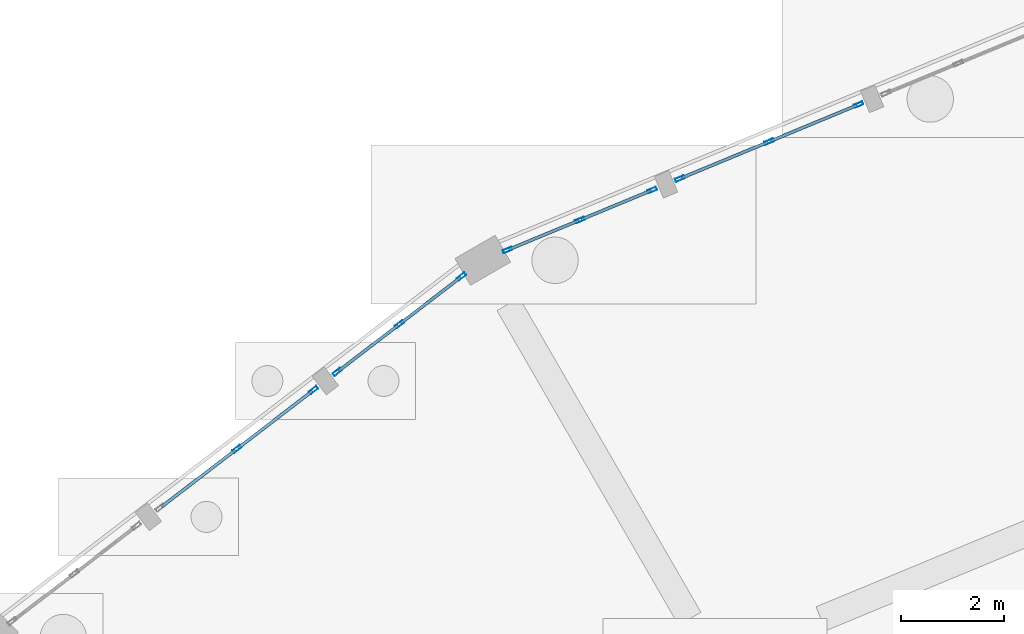
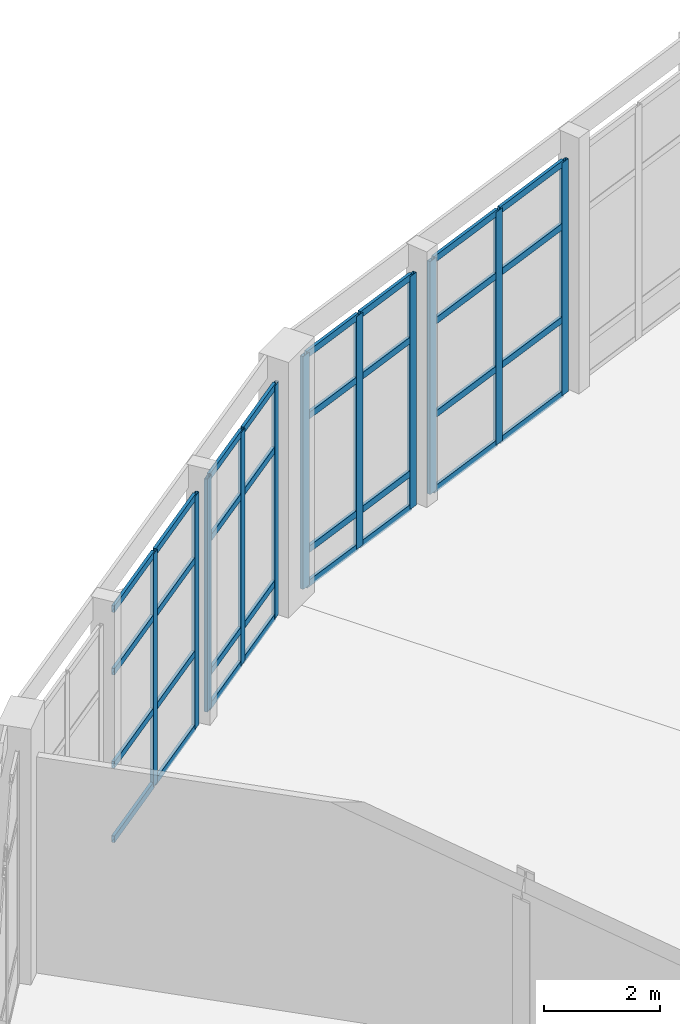
# One storey, part 58 of 137: 43 members, 4 elements without a shape of their own.
"""IFC4 building model written with IfcOpenShell, lengths in metres."""

from ifc_helpers import new_model, si_unit, direction, frame, origin, origin_2d, place, context, subcontext, project, spatial, hollow_rectangle, extrude, material, material_profile, profile_set, type_object, element, aggregate, save


model = new_model("IFC4")

# Units and contexts
model_context = context("Model", 3, precision=1e-05, world=origin(), true_north=direction((0.0, 1.0)))
body_context = subcontext(model_context, "Body", "Model", "MODEL_VIEW")
ifc_project = project(units=[si_unit("LENGTHUNIT", "METRE"), si_unit("AREAUNIT", "SQUARE_METRE"), si_unit("VOLUMEUNIT", "CUBIC_METRE"), si_unit("PLANEANGLEUNIT", "RADIAN"), si_unit("MASSUNIT", "GRAM", prefix="KILO")], contexts=[model_context])

# Site, building, storey
site_placement = place(None, origin())
site = spatial("IfcSite", under=ifc_project, at=site_placement, CompositionType="ELEMENT")
building_placement = place(site_placement, origin())
building = spatial("IfcBuilding", under=site, at=building_placement, Name="Vondelvale Polytechnic", CompositionType="ELEMENT")
storey_placement = place(building_placement, origin())
storey = spatial("IfcBuildingStorey", under=building, at=storey_placement, Name="L00", CompositionType="ELEMENT", Elevation=0.0)

# Curtain wall, members
ifc_material_1 = material(Name="Glulam GL18 structural Tasmanian oak (fb = 42 MPa)", Category="wood")
curtain_wall_type = type_object("IfcCurtainWallType", Name="CW-RING-OUTER", PredefinedType="NOTDEFINED", material=ifc_material_1)
curtain_wall_1_placement = place(storey_placement, origin())
curtain_wall_1 = element("IfcCurtainWall", 1, at=curtain_wall_1_placement, inside=storey, type_object=curtain_wall_type, Name="L00 architectural curtain wall CW-04-173", PredefinedType="NOTDEFINED")
ifc_material_2 = material(Name="Anodised extruded aluminium 6063-T6", Category="aluminium")
ifc_material_profile_1 = material_profile(ifc_material_2, hollow_rectangle(XDim=0.06494140625, YDim=0.179931640625, WallThickness=0.00390625, at=origin_2d()), Name="CW-MUL-180x65")
ifc_profile_set_1 = profile_set([ifc_material_profile_1], Name="Anodised extruded aluminium 6063-T6")
member_type_1 = type_object("IfcMemberType", Name="CW-MUL-65x180", PredefinedType="MULLION", material=ifc_profile_set_1)
member_1_placement = place(storey_placement, frame((86.278564453125, 114.85205078125, 0.0), z_axis=(0.0, 0.0, 1.0), x_axis=(0.382694599123, -0.92387490701, 0.0)))
member_1 = element("IfcMember", 2, at=member_1_placement, type_object=member_type_1, Name="CW-04-173 mullion 1", PredefinedType="MULLION", context=body_context, shape_type="SweptSolid", body=[
    extrude(hollow_rectangle(XDim=0.06494140625, YDim=0.179931640625, WallThickness=0.00390625, at=origin_2d()), origin(), (0.0, 0.0, 1.0), 4.919921875),
])
member_2_placement = place(storey_placement, frame((84.547119140625, 114.135009765625, 0.0), z_axis=(0.0, 0.0, 1.0), x_axis=(0.382694599123, -0.92387490701, 0.0)))
member_2 = element("IfcMember", 3, at=member_2_placement, type_object=member_type_1, Name="CW-04-173 mullion 2", PredefinedType="MULLION", context=body_context, shape_type="SweptSolid", body=[
    extrude(hollow_rectangle(XDim=0.06494140625, YDim=0.179931640625, WallThickness=0.00390625, at=origin_2d()), origin(), (0.0, 0.0, 1.0), 4.919921875),
])
member_3_placement = place(storey_placement, frame((82.81591796875, 113.417724609375, 0.0), z_axis=(0.0, 0.0, 1.0), x_axis=(0.382694599123, -0.92387490701, 0.0)))
member_3 = element("IfcMember", 4, at=member_3_placement, type_object=member_type_1, Name="CW-04-173 mullion 3", PredefinedType="MULLION", context=body_context, shape_type="SweptSolid", body=[
    extrude(hollow_rectangle(XDim=0.06494140625, YDim=0.179931640625, WallThickness=0.00390625, at=origin_2d()), origin(), (0.0, 0.0, 1.0), 4.919921875),
])

curtain_wall_2_placement = place(storey_placement, origin())
curtain_wall_2 = element("IfcCurtainWall", 5, at=curtain_wall_2_placement, inside=storey, type_object=curtain_wall_type, Name="L00 architectural curtain wall CW-04-174", PredefinedType="NOTDEFINED")
member_4_placement = place(storey_placement, frame((82.28466796875, 113.19775390625, 0.0), z_axis=(0.0, 0.0, 1.0), x_axis=(0.382679040691, -0.92388135159, 0.0)))
member_4 = element("IfcMember", 6, at=member_4_placement, type_object=member_type_1, Name="CW-04-174 mullion 1", PredefinedType="MULLION", context=body_context, shape_type="SweptSolid", body=[
    extrude(hollow_rectangle(XDim=0.06494140625, YDim=0.179931640625, WallThickness=0.00390625, at=origin_2d()), origin(), (0.0, 0.0, 1.0), 4.919921875),
])
member_5_placement = place(storey_placement, frame((80.880859375, 112.6162109375, 0.0), z_axis=(0.0, 0.0, 1.0), x_axis=(0.382679040691, -0.92388135159, 0.0)))
member_5 = element("IfcMember", 7, at=member_5_placement, type_object=member_type_1, Name="CW-04-174 mullion 2", PredefinedType="MULLION", context=body_context, shape_type="SweptSolid", body=[
    extrude(hollow_rectangle(XDim=0.06494140625, YDim=0.179931640625, WallThickness=0.00390625, at=origin_2d()), origin(), (0.0, 0.0, 1.0), 4.919921875),
])
member_6_placement = place(storey_placement, frame((79.477294921875, 112.034912109375, 0.0), z_axis=(0.0, 0.0, 1.0), x_axis=(0.382679040691, -0.92388135159, 0.0)))
member_6 = element("IfcMember", 8, at=member_6_placement, type_object=member_type_1, Name="CW-04-174 mullion 3", PredefinedType="MULLION", context=body_context, shape_type="SweptSolid", body=[
    extrude(hollow_rectangle(XDim=0.06494140625, YDim=0.179931640625, WallThickness=0.00390625, at=origin_2d()), origin(), (0.0, 0.0, 1.0), 4.919921875),
])

curtain_wall_3_placement = place(storey_placement, origin())
curtain_wall_3 = element("IfcCurtainWall", 9, at=curtain_wall_3_placement, inside=storey, type_object=curtain_wall_type, Name="L00 architectural curtain wall CW-04-191", PredefinedType="NOTDEFINED")
member_7_placement = place(storey_placement, frame((78.59033203125, 111.522705078125, 0.0), z_axis=(0.0, 0.0, 1.0), x_axis=(0.608763610584, -0.793351666305, 0.0)))
member_7 = element("IfcMember", 10, at=member_7_placement, type_object=member_type_1, Name="CW-04-191 mullion 1", PredefinedType="MULLION", context=body_context, shape_type="SweptSolid", body=[
    extrude(hollow_rectangle(XDim=0.06494140625, YDim=0.179931640625, WallThickness=0.00390625, at=origin_2d()), origin(), (0.0, 0.0, 1.0), 4.919921875),
])
member_8_placement = place(storey_placement, frame((77.384765625, 110.597900390625, 0.0), z_axis=(0.0, 0.0, 1.0), x_axis=(0.608763610584, -0.793351666305, 0.0)))
member_8 = element("IfcMember", 11, at=member_8_placement, type_object=member_type_1, Name="CW-04-191 mullion 2", PredefinedType="MULLION", context=body_context, shape_type="SweptSolid", body=[
    extrude(hollow_rectangle(XDim=0.06494140625, YDim=0.179931640625, WallThickness=0.00390625, at=origin_2d()), origin(), (0.0, 0.0, 1.0), 4.919921875),
])
member_9_placement = place(storey_placement, frame((76.179443359375, 109.6728515625, 0.0), z_axis=(0.0, 0.0, 1.0), x_axis=(0.608763610584, -0.793351666305, 0.0)))
member_9 = element("IfcMember", 12, at=member_9_placement, type_object=member_type_1, Name="CW-04-191 mullion 3", PredefinedType="MULLION", context=body_context, shape_type="SweptSolid", body=[
    extrude(hollow_rectangle(XDim=0.06494140625, YDim=0.179931640625, WallThickness=0.00390625, at=origin_2d()), origin(), (0.0, 0.0, 1.0), 4.919921875),
])

curtain_wall_4_placement = place(storey_placement, origin())
curtain_wall_4 = element("IfcCurtainWall", 13, at=curtain_wall_4_placement, inside=storey, type_object=curtain_wall_type, Name="L00 architectural curtain wall CW-04-192", PredefinedType="NOTDEFINED")
member_10_placement = place(storey_placement, frame((75.723388671875, 109.322998046875, 0.0), z_axis=(0.0, 0.0, 1.0), x_axis=(0.608771189063, -0.793345851043, 0.0)))
member_10 = element("IfcMember", 14, at=member_10_placement, type_object=member_type_1, Name="CW-04-192 mullion 1", PredefinedType="MULLION", context=body_context, shape_type="SweptSolid", body=[
    extrude(hollow_rectangle(XDim=0.06494140625, YDim=0.179931640625, WallThickness=0.00390625, at=origin_2d()), origin(), (0.0, 0.0, 1.0), 4.919921875),
])
member_11_placement = place(storey_placement, frame((74.236572265625, 108.18212890625, 0.0), z_axis=(0.0, 0.0, 1.0), x_axis=(0.608771189063, -0.793345851043, 0.0)))
member_11 = element("IfcMember", 15, at=member_11_placement, type_object=member_type_1, Name="CW-04-192 mullion 2", PredefinedType="MULLION", context=body_context, shape_type="SweptSolid", body=[
    extrude(hollow_rectangle(XDim=0.06494140625, YDim=0.179931640625, WallThickness=0.00390625, at=origin_2d()), origin(), (0.0, 0.0, 1.0), 4.919921875),
])

# Member
ifc_material_profile_2 = material_profile(ifc_material_2, hollow_rectangle(XDim=0.06005859375, YDim=0.139892578125, WallThickness=0.00341796875, at=origin_2d()), Name="CW-TRN-140x60")
ifc_profile_set_2 = profile_set([ifc_material_profile_2], Name="Anodised extruded aluminium 6063-T6")
member_type_2 = type_object("IfcMemberType", Name="CW-TRN-60x140", PredefinedType="USERDEFINED", material=ifc_profile_set_2)
member_12_placement = place(storey_placement, frame((86.24853515625, 114.839599609375, 0.030029296875), z_axis=(-0.923865506878, -0.382717291485, 0.0), x_axis=(0.382717291485, -0.923865506878, 0.0)))
member_12 = element("IfcMember", 16, at=member_12_placement, type_object=member_type_2, Name="CW-04-173 transom 1.1", ObjectType="TRANSOM", PredefinedType="USERDEFINED", context=body_context, shape_type="SweptSolid", body=[
    extrude(hollow_rectangle(XDim=0.06005859375, YDim=0.139892578125, WallThickness=0.00341796875, at=origin_2d()), origin(), (0.0, 0.0, 1.0), 1.80908203125),
])

member_13_placement = place(storey_placement, frame((86.24853515625, 114.839599609375, 1.60009765625), z_axis=(-0.923865506878, -0.382717291485, 0.0), x_axis=(0.382717291485, -0.923865506878, 0.0)))
member_13 = element("IfcMember", 17, at=member_13_placement, type_object=member_type_2, Name="CW-04-173 transom 1.2", ObjectType="TRANSOM", PredefinedType="USERDEFINED", context=body_context, shape_type="SweptSolid", body=[
    extrude(hollow_rectangle(XDim=0.06005859375, YDim=0.139892578125, WallThickness=0.00341796875, at=origin_2d()), origin(), (0.0, 0.0, 1.0), 1.80908203125),
])

member_14_placement = place(storey_placement, frame((86.24853515625, 114.839599609375, 3.570068359375), z_axis=(-0.923865506878, -0.382717291485, 0.0), x_axis=(0.382717291485, -0.923865506878, 0.0)))
member_14 = element("IfcMember", 18, at=member_14_placement, type_object=member_type_2, Name="CW-04-173 transom 1.3", ObjectType="TRANSOM", PredefinedType="USERDEFINED", context=body_context, shape_type="SweptSolid", body=[
    extrude(hollow_rectangle(XDim=0.06005859375, YDim=0.139892578125, WallThickness=0.00341796875, at=origin_2d()), origin(), (0.0, 0.0, 1.0), 1.80908203125),
])

member_15_placement = place(storey_placement, frame((86.24853515625, 114.839599609375, 4.889892578125), z_axis=(-0.923865506878, -0.382717291485, 0.0), x_axis=(0.382717291485, -0.923865506878, 0.0)))
member_15 = element("IfcMember", 19, at=member_15_placement, type_object=member_type_2, Name="CW-04-173 transom 1.4", ObjectType="TRANSOM", PredefinedType="USERDEFINED", context=body_context, shape_type="SweptSolid", body=[
    extrude(hollow_rectangle(XDim=0.06005859375, YDim=0.139892578125, WallThickness=0.00341796875, at=origin_2d()), origin(), (0.0, 0.0, 1.0), 1.80908203125),
])

member_16_placement = place(storey_placement, frame((84.51708984375, 114.12255859375, 0.030029296875), z_axis=(-0.92384573676, -0.382765012338, 0.0), x_axis=(0.382765012338, -0.92384573676, 0.0)))
member_16 = element("IfcMember", 20, at=member_16_placement, type_object=member_type_2, Name="CW-04-173 transom 2.1", ObjectType="TRANSOM", PredefinedType="USERDEFINED", context=body_context, shape_type="SweptSolid", body=[
    extrude(hollow_rectangle(XDim=0.06005859375, YDim=0.139892578125, WallThickness=0.00341796875, at=origin_2d()), origin(), (0.0, 0.0, 1.0), 1.808837890625),
])

member_17_placement = place(storey_placement, frame((84.51708984375, 114.12255859375, 1.60009765625), z_axis=(-0.92384573676, -0.382765012338, 0.0), x_axis=(0.382765012338, -0.92384573676, 0.0)))
member_17 = element("IfcMember", 21, at=member_17_placement, type_object=member_type_2, Name="CW-04-173 transom 2.2", ObjectType="TRANSOM", PredefinedType="USERDEFINED", context=body_context, shape_type="SweptSolid", body=[
    extrude(hollow_rectangle(XDim=0.06005859375, YDim=0.139892578125, WallThickness=0.00341796875, at=origin_2d()), origin(), (0.0, 0.0, 1.0), 1.808837890625),
])

member_18_placement = place(storey_placement, frame((84.51708984375, 114.12255859375, 3.570068359375), z_axis=(-0.92384573676, -0.382765012338, 0.0), x_axis=(0.382765012338, -0.92384573676, 0.0)))
member_18 = element("IfcMember", 22, at=member_18_placement, type_object=member_type_2, Name="CW-04-173 transom 2.3", ObjectType="TRANSOM", PredefinedType="USERDEFINED", context=body_context, shape_type="SweptSolid", body=[
    extrude(hollow_rectangle(XDim=0.06005859375, YDim=0.139892578125, WallThickness=0.00341796875, at=origin_2d()), origin(), (0.0, 0.0, 1.0), 1.808837890625),
])

member_19_placement = place(storey_placement, frame((84.51708984375, 114.12255859375, 4.889892578125), z_axis=(-0.92384573676, -0.382765012338, 0.0), x_axis=(0.382765012338, -0.92384573676, 0.0)))
member_19 = element("IfcMember", 23, at=member_19_placement, type_object=member_type_2, Name="CW-04-173 transom 2.4", ObjectType="TRANSOM", PredefinedType="USERDEFINED", context=body_context, shape_type="SweptSolid", body=[
    extrude(hollow_rectangle(XDim=0.06005859375, YDim=0.139892578125, WallThickness=0.00341796875, at=origin_2d()), origin(), (0.0, 0.0, 1.0), 1.808837890625),
])

aggregate(curtain_wall_1, [member_1, member_2, member_3, member_12, member_13, member_14, member_15, member_16, member_17, member_18, member_19])

member_20_placement = place(storey_placement, frame((82.254638671875, 113.185302734375, 0.030029296875), z_axis=(-0.923869529365, -0.382707581205, 0.0), x_axis=(0.382707581205, -0.923869529365, 0.0)))
member_20 = element("IfcMember", 24, at=member_20_placement, type_object=member_type_2, Name="CW-04-174 transom 1.1", ObjectType="TRANSOM", PredefinedType="USERDEFINED", context=body_context, shape_type="SweptSolid", body=[
    extrude(hollow_rectangle(XDim=0.06005859375, YDim=0.139892578125, WallThickness=0.00341796875, at=origin_2d()), origin(), (0.0, 0.0, 1.0), 1.45458984375),
])

member_21_placement = place(storey_placement, frame((82.254638671875, 113.185302734375, 0.75), z_axis=(-0.923869529365, -0.382707581205, 0.0), x_axis=(0.382707581205, -0.923869529365, 0.0)))
member_21 = element("IfcMember", 25, at=member_21_placement, type_object=member_type_2, Name="CW-04-174 transom 1.2", ObjectType="TRANSOM", PredefinedType="USERDEFINED", context=body_context, shape_type="SweptSolid", body=[
    extrude(hollow_rectangle(XDim=0.06005859375, YDim=0.139892578125, WallThickness=0.00341796875, at=origin_2d()), origin(), (0.0, 0.0, 1.0), 1.45458984375),
])

member_22_placement = place(storey_placement, frame((82.254638671875, 113.185302734375, 3.570068359375), z_axis=(-0.923869529365, -0.382707581205, 0.0), x_axis=(0.382707581205, -0.923869529365, 0.0)))
member_22 = element("IfcMember", 26, at=member_22_placement, type_object=member_type_2, Name="CW-04-174 transom 1.3", ObjectType="TRANSOM", PredefinedType="USERDEFINED", context=body_context, shape_type="SweptSolid", body=[
    extrude(hollow_rectangle(XDim=0.06005859375, YDim=0.139892578125, WallThickness=0.00341796875, at=origin_2d()), origin(), (0.0, 0.0, 1.0), 1.45458984375),
])

member_23_placement = place(storey_placement, frame((82.254638671875, 113.185302734375, 4.889892578125), z_axis=(-0.923869529365, -0.382707581205, 0.0), x_axis=(0.382707581205, -0.923869529365, 0.0)))
member_23 = element("IfcMember", 27, at=member_23_placement, type_object=member_type_2, Name="CW-04-174 transom 1.4", ObjectType="TRANSOM", PredefinedType="USERDEFINED", context=body_context, shape_type="SweptSolid", body=[
    extrude(hollow_rectangle(XDim=0.06005859375, YDim=0.139892578125, WallThickness=0.00341796875, at=origin_2d()), origin(), (0.0, 0.0, 1.0), 1.45458984375),
])

member_24_placement = place(storey_placement, frame((80.850830078125, 112.603759765625, 0.030029296875), z_axis=(-0.92390429692, -0.38262364032, 0.0), x_axis=(0.38262364032, -0.92390429692, 0.0)))
member_24 = element("IfcMember", 28, at=member_24_placement, type_object=member_type_2, Name="CW-04-174 transom 2.1", ObjectType="TRANSOM", PredefinedType="USERDEFINED", context=body_context, shape_type="SweptSolid", body=[
    extrude(hollow_rectangle(XDim=0.06005859375, YDim=0.139892578125, WallThickness=0.00341796875, at=origin_2d()), origin(), (0.0, 0.0, 1.0), 1.4541015625),
])

member_25_placement = place(storey_placement, frame((80.850830078125, 112.603759765625, 0.75), z_axis=(-0.92390429692, -0.38262364032, 0.0), x_axis=(0.38262364032, -0.92390429692, 0.0)))
member_25 = element("IfcMember", 29, at=member_25_placement, type_object=member_type_2, Name="CW-04-174 transom 2.2", ObjectType="TRANSOM", PredefinedType="USERDEFINED", context=body_context, shape_type="SweptSolid", body=[
    extrude(hollow_rectangle(XDim=0.06005859375, YDim=0.139892578125, WallThickness=0.00341796875, at=origin_2d()), origin(), (0.0, 0.0, 1.0), 1.4541015625),
])

member_26_placement = place(storey_placement, frame((80.850830078125, 112.603759765625, 3.570068359375), z_axis=(-0.92390429692, -0.38262364032, 0.0), x_axis=(0.38262364032, -0.92390429692, 0.0)))
member_26 = element("IfcMember", 30, at=member_26_placement, type_object=member_type_2, Name="CW-04-174 transom 2.3", ObjectType="TRANSOM", PredefinedType="USERDEFINED", context=body_context, shape_type="SweptSolid", body=[
    extrude(hollow_rectangle(XDim=0.06005859375, YDim=0.139892578125, WallThickness=0.00341796875, at=origin_2d()), origin(), (0.0, 0.0, 1.0), 1.4541015625),
])

member_27_placement = place(storey_placement, frame((80.850830078125, 112.603759765625, 4.889892578125), z_axis=(-0.92390429692, -0.38262364032, 0.0), x_axis=(0.38262364032, -0.92390429692, 0.0)))
member_27 = element("IfcMember", 31, at=member_27_placement, type_object=member_type_2, Name="CW-04-174 transom 2.4", ObjectType="TRANSOM", PredefinedType="USERDEFINED", context=body_context, shape_type="SweptSolid", body=[
    extrude(hollow_rectangle(XDim=0.06005859375, YDim=0.139892578125, WallThickness=0.00341796875, at=origin_2d()), origin(), (0.0, 0.0, 1.0), 1.4541015625),
])

aggregate(curtain_wall_2, [member_4, member_5, member_6, member_20, member_21, member_22, member_23, member_24, member_25, member_26, member_27])

member_28_placement = place(storey_placement, frame((78.564453125, 111.5029296875, 0.030029296875), z_axis=(-0.793384744473, -0.608720500097, 0.0), x_axis=(0.608720500097, -0.793384744473, 0.0)))
member_28 = element("IfcMember", 32, at=member_28_placement, type_object=member_type_2, Name="CW-04-191 transom 1.1", ObjectType="TRANSOM", PredefinedType="USERDEFINED", context=body_context, shape_type="SweptSolid", body=[
    extrude(hollow_rectangle(XDim=0.06005859375, YDim=0.139892578125, WallThickness=0.00341796875, at=origin_2d()), origin(), (0.0, 0.0, 1.0), 1.454345703125),
])

member_29_placement = place(storey_placement, frame((78.564453125, 111.5029296875, 0.75), z_axis=(-0.793384744473, -0.608720500097, 0.0), x_axis=(0.608720500097, -0.793384744473, 0.0)))
member_29 = element("IfcMember", 33, at=member_29_placement, type_object=member_type_2, Name="CW-04-191 transom 1.2", ObjectType="TRANSOM", PredefinedType="USERDEFINED", context=body_context, shape_type="SweptSolid", body=[
    extrude(hollow_rectangle(XDim=0.06005859375, YDim=0.139892578125, WallThickness=0.00341796875, at=origin_2d()), origin(), (0.0, 0.0, 1.0), 1.454345703125),
])

member_30_placement = place(storey_placement, frame((78.564453125, 111.5029296875, 3.570068359375), z_axis=(-0.793384744473, -0.608720500097, 0.0), x_axis=(0.608720500097, -0.793384744473, 0.0)))
member_30 = element("IfcMember", 34, at=member_30_placement, type_object=member_type_2, Name="CW-04-191 transom 1.3", ObjectType="TRANSOM", PredefinedType="USERDEFINED", context=body_context, shape_type="SweptSolid", body=[
    extrude(hollow_rectangle(XDim=0.06005859375, YDim=0.139892578125, WallThickness=0.00341796875, at=origin_2d()), origin(), (0.0, 0.0, 1.0), 1.454345703125),
])

member_31_placement = place(storey_placement, frame((78.564453125, 111.5029296875, 4.889892578125), z_axis=(-0.793384744473, -0.608720500097, 0.0), x_axis=(0.608720500097, -0.793384744473, 0.0)))
member_31 = element("IfcMember", 35, at=member_31_placement, type_object=member_type_2, Name="CW-04-191 transom 1.4", ObjectType="TRANSOM", PredefinedType="USERDEFINED", context=body_context, shape_type="SweptSolid", body=[
    extrude(hollow_rectangle(XDim=0.06005859375, YDim=0.139892578125, WallThickness=0.00341796875, at=origin_2d()), origin(), (0.0, 0.0, 1.0), 1.454345703125),
])

member_32_placement = place(storey_placement, frame((77.359130859375, 110.578125, 0.030029296875), z_axis=(-0.793303669799, -0.608826155387, 0.0), x_axis=(0.608826155387, -0.793303669799, 0.0)))
member_32 = element("IfcMember", 36, at=member_32_placement, type_object=member_type_2, Name="CW-04-191 transom 2.1", ObjectType="TRANSOM", PredefinedType="USERDEFINED", context=body_context, shape_type="SweptSolid", body=[
    extrude(hollow_rectangle(XDim=0.06005859375, YDim=0.139892578125, WallThickness=0.00341796875, at=origin_2d()), origin(), (0.0, 0.0, 1.0), 1.454345703125),
])

member_33_placement = place(storey_placement, frame((77.359130859375, 110.578125, 0.75), z_axis=(-0.793303669799, -0.608826155387, 0.0), x_axis=(0.608826155387, -0.793303669799, 0.0)))
member_33 = element("IfcMember", 37, at=member_33_placement, type_object=member_type_2, Name="CW-04-191 transom 2.2", ObjectType="TRANSOM", PredefinedType="USERDEFINED", context=body_context, shape_type="SweptSolid", body=[
    extrude(hollow_rectangle(XDim=0.06005859375, YDim=0.139892578125, WallThickness=0.00341796875, at=origin_2d()), origin(), (0.0, 0.0, 1.0), 1.454345703125),
])

member_34_placement = place(storey_placement, frame((77.359130859375, 110.578125, 3.570068359375), z_axis=(-0.793303669799, -0.608826155387, 0.0), x_axis=(0.608826155387, -0.793303669799, 0.0)))
member_34 = element("IfcMember", 38, at=member_34_placement, type_object=member_type_2, Name="CW-04-191 transom 2.3", ObjectType="TRANSOM", PredefinedType="USERDEFINED", context=body_context, shape_type="SweptSolid", body=[
    extrude(hollow_rectangle(XDim=0.06005859375, YDim=0.139892578125, WallThickness=0.00341796875, at=origin_2d()), origin(), (0.0, 0.0, 1.0), 1.454345703125),
])

member_35_placement = place(storey_placement, frame((77.359130859375, 110.578125, 4.889892578125), z_axis=(-0.793303669799, -0.608826155387, 0.0), x_axis=(0.608826155387, -0.793303669799, 0.0)))
member_35 = element("IfcMember", 39, at=member_35_placement, type_object=member_type_2, Name="CW-04-191 transom 2.4", ObjectType="TRANSOM", PredefinedType="USERDEFINED", context=body_context, shape_type="SweptSolid", body=[
    extrude(hollow_rectangle(XDim=0.06005859375, YDim=0.139892578125, WallThickness=0.00341796875, at=origin_2d()), origin(), (0.0, 0.0, 1.0), 1.454345703125),
])

aggregate(curtain_wall_3, [member_7, member_8, member_9, member_28, member_29, member_30, member_31, member_32, member_33, member_34, member_35])

member_36_placement = place(storey_placement, frame((75.697509765625, 109.30322265625, 0.030029296875), z_axis=(-0.793310842007, -0.608816809849, 0.0), x_axis=(0.608816809849, -0.793310842007, 0.0)))
member_36 = element("IfcMember", 40, at=member_36_placement, type_object=member_type_2, Name="CW-04-192 transom 1.1", ObjectType="TRANSOM", PredefinedType="USERDEFINED", context=body_context, shape_type="SweptSolid", body=[
    extrude(hollow_rectangle(XDim=0.06005859375, YDim=0.139892578125, WallThickness=0.00341796875, at=origin_2d()), origin(), (0.0, 0.0, 1.0), 1.808837890625),
])

member_37_placement = place(storey_placement, frame((75.697509765625, 109.30322265625, 1.60009765625), z_axis=(-0.793310842007, -0.608816809849, 0.0), x_axis=(0.608816809849, -0.793310842007, 0.0)))
member_37 = element("IfcMember", 41, at=member_37_placement, type_object=member_type_2, Name="CW-04-192 transom 1.2", ObjectType="TRANSOM", PredefinedType="USERDEFINED", context=body_context, shape_type="SweptSolid", body=[
    extrude(hollow_rectangle(XDim=0.06005859375, YDim=0.139892578125, WallThickness=0.00341796875, at=origin_2d()), origin(), (0.0, 0.0, 1.0), 1.808837890625),
])

member_38_placement = place(storey_placement, frame((75.697509765625, 109.30322265625, 3.570068359375), z_axis=(-0.793310842007, -0.608816809849, 0.0), x_axis=(0.608816809849, -0.793310842007, 0.0)))
member_38 = element("IfcMember", 42, at=member_38_placement, type_object=member_type_2, Name="CW-04-192 transom 1.3", ObjectType="TRANSOM", PredefinedType="USERDEFINED", context=body_context, shape_type="SweptSolid", body=[
    extrude(hollow_rectangle(XDim=0.06005859375, YDim=0.139892578125, WallThickness=0.00341796875, at=origin_2d()), origin(), (0.0, 0.0, 1.0), 1.808837890625),
])

member_39_placement = place(storey_placement, frame((75.697509765625, 109.30322265625, 4.889892578125), z_axis=(-0.793310842007, -0.608816809849, 0.0), x_axis=(0.608816809849, -0.793310842007, 0.0)))
member_39 = element("IfcMember", 43, at=member_39_placement, type_object=member_type_2, Name="CW-04-192 transom 1.4", ObjectType="TRANSOM", PredefinedType="USERDEFINED", context=body_context, shape_type="SweptSolid", body=[
    extrude(hollow_rectangle(XDim=0.06005859375, YDim=0.139892578125, WallThickness=0.00341796875, at=origin_2d()), origin(), (0.0, 0.0, 1.0), 1.808837890625),
])

member_40_placement = place(storey_placement, frame((74.210693359375, 108.162353515625, 0.030029296875), z_axis=(-0.793310842007, -0.608816809849, 0.0), x_axis=(0.608816809849, -0.793310842007, 0.0)))
member_40 = element("IfcMember", 44, at=member_40_placement, type_object=member_type_2, Name="CW-04-192 transom 2.1", ObjectType="TRANSOM", PredefinedType="USERDEFINED", context=body_context, shape_type="SweptSolid", body=[
    extrude(hollow_rectangle(XDim=0.06005859375, YDim=0.139892578125, WallThickness=0.00341796875, at=origin_2d()), origin(), (0.0, 0.0, 1.0), 1.808837890625),
])

member_41_placement = place(storey_placement, frame((74.210693359375, 108.162353515625, 1.60009765625), z_axis=(-0.793310842007, -0.608816809849, 0.0), x_axis=(0.608816809849, -0.793310842007, 0.0)))
member_41 = element("IfcMember", 45, at=member_41_placement, type_object=member_type_2, Name="CW-04-192 transom 2.2", ObjectType="TRANSOM", PredefinedType="USERDEFINED", context=body_context, shape_type="SweptSolid", body=[
    extrude(hollow_rectangle(XDim=0.06005859375, YDim=0.139892578125, WallThickness=0.00341796875, at=origin_2d()), origin(), (0.0, 0.0, 1.0), 1.808837890625),
])

member_42_placement = place(storey_placement, frame((74.210693359375, 108.162353515625, 3.570068359375), z_axis=(-0.793310842007, -0.608816809849, 0.0), x_axis=(0.608816809849, -0.793310842007, 0.0)))
member_42 = element("IfcMember", 46, at=member_42_placement, type_object=member_type_2, Name="CW-04-192 transom 2.3", ObjectType="TRANSOM", PredefinedType="USERDEFINED", context=body_context, shape_type="SweptSolid", body=[
    extrude(hollow_rectangle(XDim=0.06005859375, YDim=0.139892578125, WallThickness=0.00341796875, at=origin_2d()), origin(), (0.0, 0.0, 1.0), 1.808837890625),
])

member_43_placement = place(storey_placement, frame((74.210693359375, 108.162353515625, 4.889892578125), z_axis=(-0.793310842007, -0.608816809849, 0.0), x_axis=(0.608816809849, -0.793310842007, 0.0)))
member_43 = element("IfcMember", 47, at=member_43_placement, type_object=member_type_2, Name="CW-04-192 transom 2.4", ObjectType="TRANSOM", PredefinedType="USERDEFINED", context=body_context, shape_type="SweptSolid", body=[
    extrude(hollow_rectangle(XDim=0.06005859375, YDim=0.139892578125, WallThickness=0.00341796875, at=origin_2d()), origin(), (0.0, 0.0, 1.0), 1.808837890625),
])

aggregate(curtain_wall_4, [member_10, member_11, member_36, member_37, member_38, member_39, member_40, member_41, member_42, member_43])

save(model, "model.ifc")
